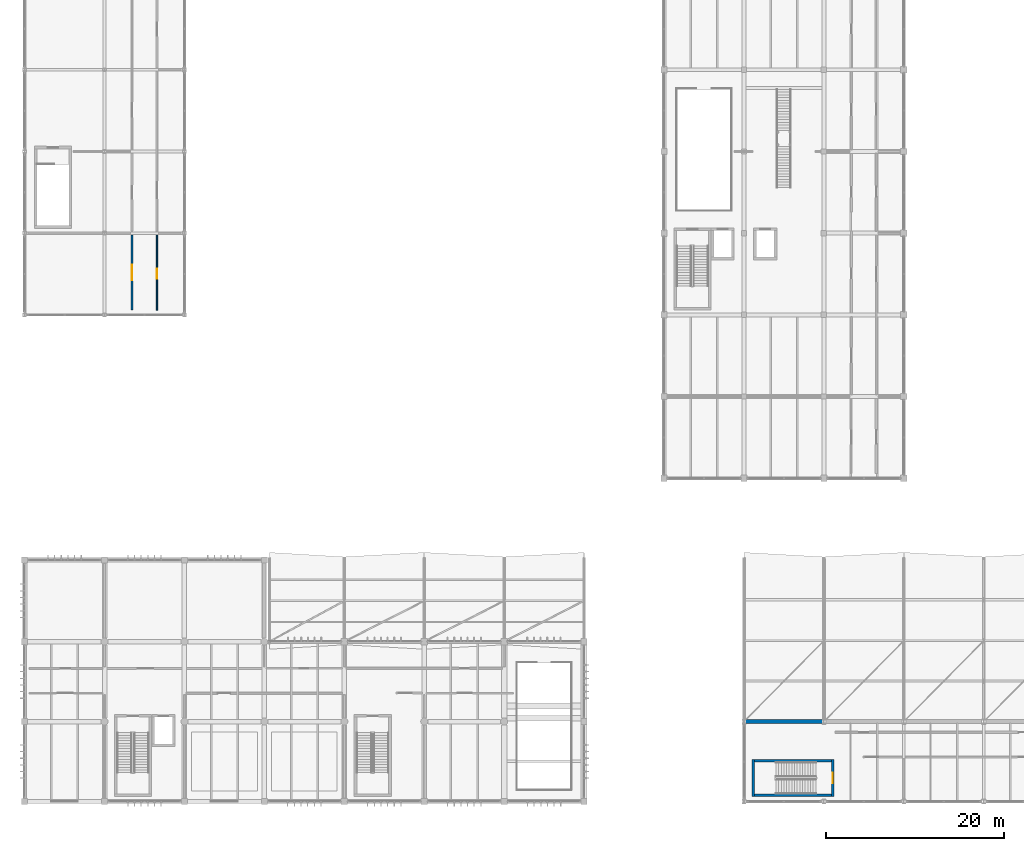
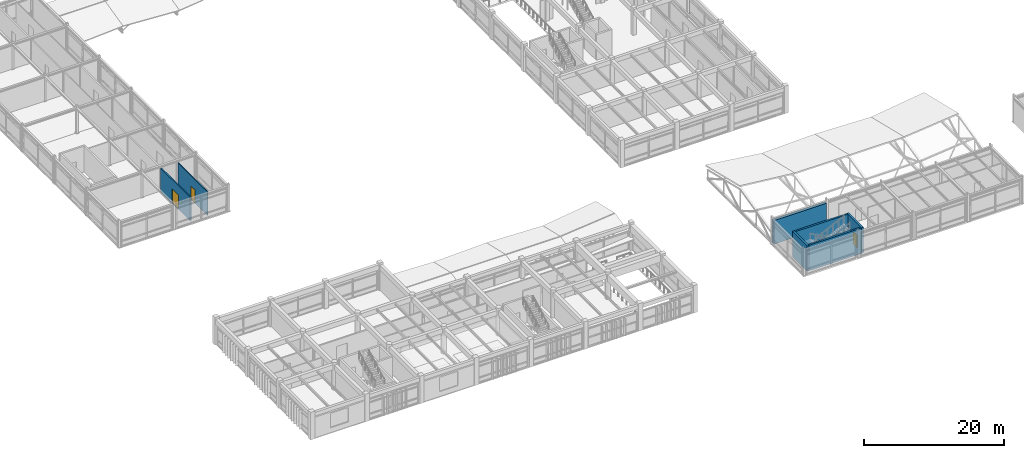
# One storey, part 71 of 90: 7 walls, 3 doors, 3 openings.
"""IFC4 building model written with IfcOpenShell, lengths in metres."""

from ifc_helpers import new_model, si_unit, direction, frame, frame_2d, origin, place, context, subcontext, project, spatial, rectangle, extrude, material, layer, layer_set, type_object, element, fill, save


model = new_model("IFC4")

# Units and contexts
model_context = context("Model", 3, precision=1e-05, world=origin(), true_north=direction((0.0, 1.0)))
body_context = subcontext(model_context, "Body", "Model", "MODEL_VIEW")
ifc_project = project(units=[si_unit("LENGTHUNIT", "METRE"), si_unit("AREAUNIT", "SQUARE_METRE"), si_unit("VOLUMEUNIT", "CUBIC_METRE"), si_unit("PLANEANGLEUNIT", "RADIAN"), si_unit("MASSUNIT", "GRAM", prefix="KILO")], contexts=[model_context])

# Site, building, storey
site_placement = place(None, origin())
site = spatial("IfcSite", under=ifc_project, at=site_placement, CompositionType="ELEMENT")
building_placement = place(site_placement, origin())
building = spatial("IfcBuilding", under=site, at=building_placement, Name="Bozkorgan Art Gallery", CompositionType="ELEMENT")
storey_placement = place(building_placement, frame((0.0, 0.0, 5.39990234375)))
storey = spatial("IfcBuildingStorey", under=building, at=storey_placement, Name="L01", CompositionType="ELEMENT", Elevation=5.39990234375)

# Wall, opening, door
ifc_material_1 = material(Name="Concrete C40/50", Category="concrete")
ifc_layer_1 = layer(ifc_material_1, 0.300048828125, Name="Concrete C40/50")
ifc_layer_set_1 = layer_set([ifc_layer_1], Name="Concrete C40/50")
wall_type_1 = type_object("IfcWallType", Name="IWALL-CW-44", PredefinedType="SHEAR", material=ifc_layer_set_1)
wall_1_placement = place(storey_placement, frame((93.0, 2.550048828125, 0.0), z_axis=(0.0, 0.0, 1.0), x_axis=(0.0, 1.0, 0.0)))
wall_1 = element("IfcWall", 1, at=wall_1_placement, inside=storey, type_object=wall_type_1, Name="CORE6 L01 stair core east shear wall", PredefinedType="SHEAR", context=body_context, shape_type="SweptSolid", body=[
    extrude(rectangle(XDim=4.199951171875, YDim=0.300048828125, at=frame_2d((2.10009765625, 0.0))), origin(), (0.0, 0.0, 1.0), 4.440185546875),
])
opening_1_placement = place(wall_1_placement, frame((1.52490234375, 0.0, 0.0)))
opening_1 = element("IfcOpeningElement", 2, at=opening_1_placement, cuts=wall_1, Name="Opening SD-41", PredefinedType="OPENING", context=body_context, shape_type="SweptSolid", body=[
    extrude(rectangle(XDim=1.14990234375, YDim=2.199951171875, at=frame_2d((0.574951171875, 1.10009765625))), frame((0.0, 0.16015625, 0.0), z_axis=(0.0, -1.0, 0.0), x_axis=(1.0, 0.0, 0.0)), (0.0, 0.0, 1.0), 0.320068359375),
])
ifc_material_2 = material(Name="Steel S355J2", Category="steel")
door_type_1 = type_object("IfcDoorType", Name="IDOOR-SD-41", OperationType="NOTDEFINED", PredefinedType="DOOR", material=ifc_material_2)
door_1_placement = place(opening_1_placement, origin())
door_1 = element("IfcDoor", 3, at=door_1_placement, inside=storey, type_object=door_type_1, Name="ST6 L01 Fire Stair Door", OperationType="SINGLE_SWING_RIGHT", OverallHeight=2.199951171875, OverallWidth=1.14990234375, PredefinedType="DOOR", context=body_context, shape_type="SweptSolid", body=[
    extrude(rectangle(XDim=1.14990234375, YDim=2.199951171875, at=frame_2d((0.574951171875, 1.10009765625))), frame((0.0, 0.02490234375, 0.0), z_axis=(0.0, -1.0, 0.0), x_axis=(1.0, 0.0, 0.0)), (0.0, 0.0, 1.0), 0.050048828125),
])
fill(opening_1, door_1)

# Walls
wall_2_placement = place(storey_placement, frame((84.050048828125, 2.550048828125, 0.0), z_axis=(0.0, 0.0, 1.0), x_axis=(0.0, 1.0, 0.0)))
element("IfcWall", 4, at=wall_2_placement, inside=storey, type_object=wall_type_1, Name="CORE6 L01 stair core W shear wall", PredefinedType="SHEAR", context=body_context, shape_type="SweptSolid", body=[
    extrude(rectangle(XDim=4.199951171875, YDim=0.300048828125, at=frame_2d((2.10009765625, 0.0))), origin(), (0.0, 0.0, 1.0), 4.440185546875),
])
for number, where, z_axis, x_axis, name in (
    (5, (84.199951171875, 2.699951171875, 0.0), (0.0, 0.0, 1.0), (1.0, 0.0, 0.0), "CORE6 L01 stair core S shear wall"),
    (6, (84.199951171875, 6.60009765625, 0.0), (0.0, 0.0, 1.0), (1.0, 0.0, 0.0), "CORE6 L01 stair core N shear wall"),
):
    element("IfcWall", number, at=place(storey_placement, frame(where, z_axis=z_axis, x_axis=x_axis)), inside=storey, type_object=wall_type_1, Name=name, PredefinedType="SHEAR", context=body_context, shape_type="SweptSolid", body=[
        extrude(rectangle(XDim=8.650146484375, YDim=0.300048828125, at=frame_2d((4.3251953125, 0.0))), origin(), (0.0, 0.0, 1.0), 4.440185546875),
    ])

# Wall, opening, door
ifc_material_3 = material(Name="Acoustic Gypsum & Mineral Wool Partition")
ifc_layer_2 = layer(ifc_material_3, 0.18994140625, Name="Acoustic Gypsum & Mineral Wool Partition")
ifc_layer_set_2 = layer_set([ifc_layer_2], Name="Acoustic Gypsum & Mineral Wool Partition")
wall_type_2 = type_object("IfcWallType", Name="IWALL-PR-66", PredefinedType="PARTITIONING", material=ifc_layer_set_2)
wall_3_placement = place(storey_placement, frame((14.10009765625, 57.340087890625, 0.0), z_axis=(0.0, 0.0, 1.0), x_axis=(0.0, 1.0, 0.0)))
wall_3 = element("IfcWall", 7, at=wall_3_placement, inside=storey, type_object=wall_type_2, Name="V2 L01 acoustic partition wall 147", PredefinedType="PARTITIONING", context=body_context, shape_type="SweptSolid", body=[
    extrude(rectangle(XDim=8.43994140625, YDim=0.18994140625, at=frame_2d((4.219970703125, 0.0))), origin(), (0.0, 0.0, 1.0), 4.09521484375),
])
opening_2_placement = place(wall_3_placement, frame((5.127685546875, 0.0, 0.0), z_axis=(0.0, 0.0, 1.0), x_axis=(-1.0, 0.0, 0.0)))
opening_2 = element("IfcOpeningElement", 8, at=opening_2_placement, cuts=wall_3, Name="Opening GD-53", PredefinedType="OPENING", context=body_context, shape_type="SweptSolid", body=[
    extrude(rectangle(XDim=1.760009765625, YDim=2.449951171875, at=frame_2d((0.8798828125, 1.22509765625))), frame((0.0, 0.10498046875, 0.0), z_axis=(0.0, -1.0, 0.0), x_axis=(1.0, 0.0, 0.0)), (0.0, 0.0, 1.0), 0.2099609375),
])
ifc_material_4 = material(Name="Oiled European Oak Joinery")
door_type_2 = type_object("IfcDoorType", Name="IDOOR-GD-53", OperationType="NOTDEFINED", PredefinedType="DOOR", material=ifc_material_4)
door_2_placement = place(opening_2_placement, origin())
door_2 = element("IfcDoor", 9, at=door_2_placement, inside=storey, type_object=door_type_2, Name="Decorative Arts Gallery Door", OperationType="DOUBLE_DOOR_SINGLE_SWING", OverallHeight=2.449951171875, OverallWidth=1.760009765625, PredefinedType="DOOR", context=body_context, shape_type="SweptSolid", body=[
    extrude(rectangle(XDim=1.760009765625, YDim=2.449951171875, at=frame_2d((0.8798828125, 1.22509765625))), frame((0.0, 0.02490234375, 0.0), z_axis=(0.0, -1.0, 0.0), x_axis=(1.0, 0.0, 0.0)), (0.0, 0.0, 1.0), 0.050048828125),
])
fill(opening_2, door_2)

ifc_layer_3 = layer(ifc_material_3, 0.1298828125, Name="Acoustic Gypsum & Mineral Wool Partition")
ifc_layer_set_3 = layer_set([ifc_layer_3], Name="Acoustic Gypsum & Mineral Wool Partition")
wall_type_3 = type_object("IfcWallType", Name="IWALL-PR-76", PredefinedType="PARTITIONING", material=ifc_layer_set_3)
wall_4_placement = place(storey_placement, frame((16.89990234375, 57.340087890625, 0.0), z_axis=(0.0, 0.0, 1.0), x_axis=(0.0, 1.0, 0.0)))
wall_4 = element("IfcWall", 10, at=wall_4_placement, inside=storey, type_object=wall_type_3, Name="V2 L01 acoustic partition wall 156", PredefinedType="PARTITIONING", context=body_context, shape_type="SweptSolid", body=[
    extrude(rectangle(XDim=8.43994140625, YDim=0.1298828125, at=frame_2d((4.219970703125, 0.0))), origin(), (0.0, 0.0, 1.0), 4.09521484375),
])
opening_3_placement = place(wall_4_placement, frame((3.518798828125, 0.0, 0.0)))
opening_3 = element("IfcOpeningElement", 11, at=opening_3_placement, cuts=wall_4, Name="Opening FD-03", PredefinedType="OPENING", context=body_context, shape_type="SweptSolid", body=[
    extrude(rectangle(XDim=1.159912109375, YDim=2.280029296875, at=frame_2d((0.580078125, 1.14013671875))), frame((0.0, 0.074951171875, 0.0), z_axis=(0.0, -1.0, 0.0), x_axis=(1.0, 0.0, 0.0)), (0.0, 0.0, 1.0), 0.14990234375),
])
door_type_3 = type_object("IfcDoorType", Name="IDOOR-FD-03", OperationType="NOTDEFINED", PredefinedType="DOOR", material=ifc_material_4)
door_3_placement = place(opening_3_placement, origin())
door_3 = element("IfcDoor", 12, at=door_3_placement, inside=storey, type_object=door_type_3, Name="Collection Archive Room Door", OperationType="SINGLE_SWING_RIGHT", OverallHeight=2.280029296875, OverallWidth=1.159912109375, PredefinedType="DOOR", context=body_context, shape_type="SweptSolid", body=[
    extrude(rectangle(XDim=1.159912109375, YDim=2.280029296875, at=frame_2d((0.580078125, 1.14013671875))), frame((0.0, 0.02490234375, 0.0), z_axis=(0.0, -1.0, 0.0), x_axis=(1.0, 0.0, 0.0)), (0.0, 0.0, 1.0), 0.050048828125),
])
fill(opening_3, door_3)

# Wall
ifc_material_5 = material(Name="Kordai Rose Granite Ashlar", Category="masonry")
ifc_layer_4 = layer(ifc_material_5, 0.449951171875, Name="Kordai Rose Granite Ashlar")
ifc_layer_set_4 = layer_set([ifc_layer_4], Name="Kordai Rose Granite Ashlar")
wall_type_4 = type_object("IfcWallType", Name="WALL-WA-47", PredefinedType="STANDARD", material=ifc_layer_set_4)
wall_5_placement = place(storey_placement, frame((83.14990234375, 11.0, 0.0), z_axis=(0.0, 0.0, 1.0), x_axis=(1.0, 0.0, 0.0)))
element("IfcWall", 13, at=wall_5_placement, inside=storey, type_object=wall_type_4, Name="V3 L01 exterior facade wall 1N-2", PredefinedType="STANDARD", context=body_context, shape_type="SweptSolid", body=[
    extrude(rectangle(XDim=8.7001953125, YDim=0.449951171875, at=frame_2d((4.35009765625, 0.0))), origin(), (0.0, 0.0, 1.0), 4.09521484375),
])

save(model, "model.ifc")
